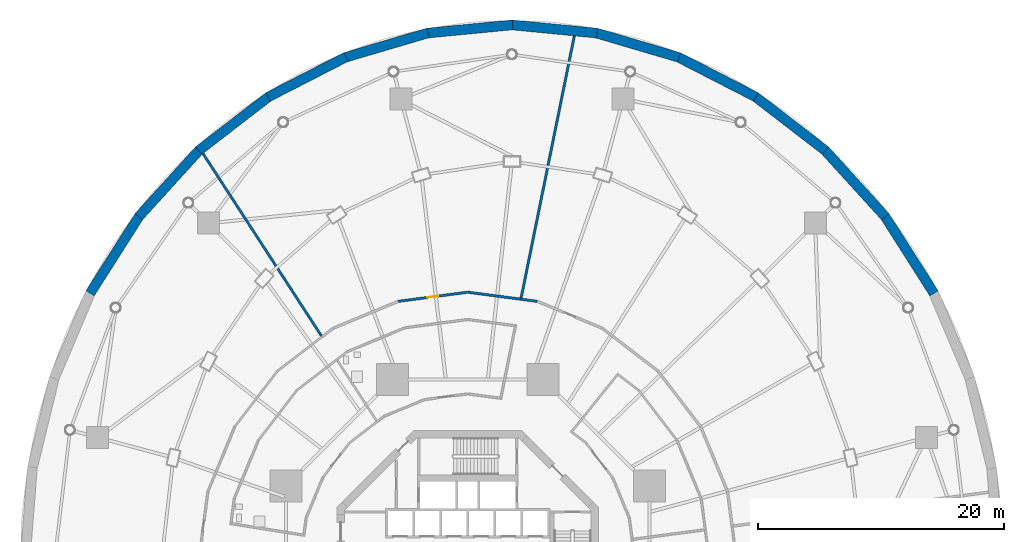
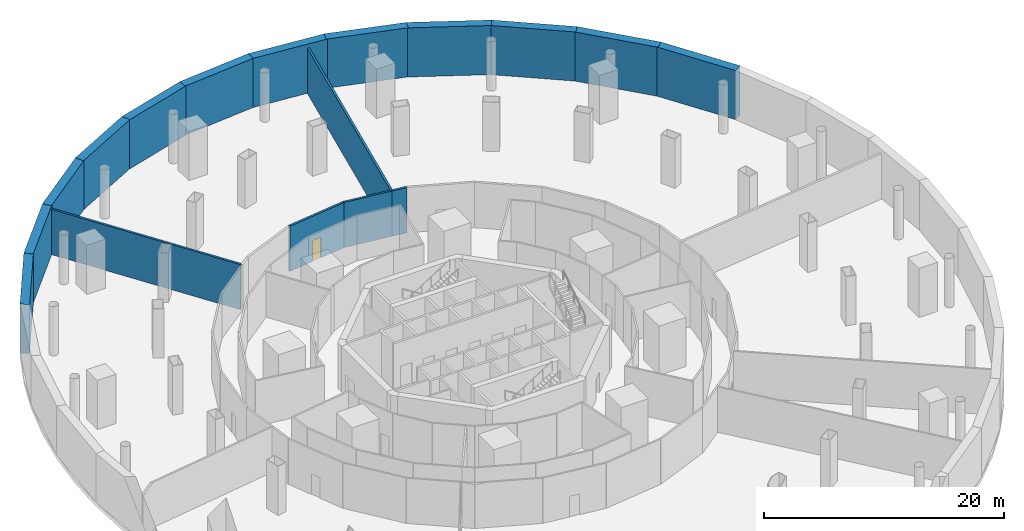
# One storey, part 11 of 14: 17 walls, 1 door, 1 opening.
"""IFC4 building model written with IfcOpenShell, lengths in metres."""

from ifc_helpers import new_model, si_unit, direction, frame, frame_2d, origin, place, context, subcontext, project, spatial, rectangle, extrude, material, layer, layer_set, type_object, element, fill, save


model = new_model("IFC4")

# Units and contexts
model_context = context("Model", 3, precision=1e-05, world=origin(), true_north=direction((0.0, 1.0)))
body_context = subcontext(model_context, "Body", "Model", "MODEL_VIEW")
ifc_project = project(units=[si_unit("LENGTHUNIT", "METRE"), si_unit("AREAUNIT", "SQUARE_METRE"), si_unit("VOLUMEUNIT", "CUBIC_METRE"), si_unit("PLANEANGLEUNIT", "RADIAN"), si_unit("MASSUNIT", "GRAM", prefix="KILO")], contexts=[model_context])

# Site, building, storey
site_placement = place(None, origin())
site = spatial("IfcSite", under=ifc_project, at=site_placement, CompositionType="ELEMENT")
building_placement = place(site_placement, origin())
building = spatial("IfcBuilding", under=site, at=building_placement, Name="Nagisa Residences", CompositionType="ELEMENT")
storey_placement = place(building_placement, frame((0.0, 0.0, -5.0)))
storey = spatial("IfcBuildingStorey", under=building, at=storey_placement, Name="B1", CompositionType="ELEMENT", Elevation=-5.0)

# Walls
ifc_material_1 = material(Name="Concrete C40", Category="concrete")
ifc_layer_1 = layer(ifc_material_1, 0.800048828125)
ifc_layer_set_1 = layer_set([ifc_layer_1], Name="Basement retaining wall 800")
wall_type_1 = type_object("IfcWallType", Name="Basement retaining wall 800", PredefinedType="SOLIDWALL", material=ifc_layer_set_1)
wall_1_placement = place(storey_placement, frame((-30.71337890625, 21.771728515625, 0.0), z_axis=(0.0, 0.0, 1.0), x_axis=(0.53698952756, 0.843588908943, 0.0)))
element("IfcWall", 1, at=wall_1_placement, inside=storey, type_object=wall_type_1, Name="wall:B1:ret22", PredefinedType="SOLIDWALL", context=body_context, shape_type="SweptSolid", body=[
    extrude(rectangle(XDim=7.480224609375, YDim=0.800048828125, at=frame_2d((3.740234375, 0.0))), origin(), (0.0, 0.0, 1.0), 5.0),
])
wall_2_placement = place(storey_placement, frame((-26.757080078125, 28.002685546875, 0.0), z_axis=(0.0, 0.0, 1.0), x_axis=(0.672652980875, 0.73995808484, 0.0)))
element("IfcWall", 2, at=wall_2_placement, inside=storey, type_object=wall_type_1, Name="wall:B1:ret23", PredefinedType="SOLIDWALL", context=body_context, shape_type="SweptSolid", body=[
    extrude(rectangle(XDim=7.35986328125, YDim=0.800048828125, at=frame_2d((3.679931640625, 0.0))), origin(), (0.0, 0.0, 1.0), 5.0),
])
wall_3_placement = place(storey_placement, frame((-21.879638671875, 33.381103515625, 0.0), z_axis=(0.0, 0.0, 1.0), x_axis=(0.792235092298, 0.610215993343, 0.0)))
element("IfcWall", 3, at=wall_3_placement, inside=storey, type_object=wall_type_1, Name="wall:B1:ret24", PredefinedType="SOLIDWALL", context=body_context, shape_type="SweptSolid", body=[
    extrude(rectangle(XDim=7.237548828125, YDim=0.800048828125, at=frame_2d((3.61865234375, 0.0))), origin(), (0.0, 0.0, 1.0), 5.0),
])
wall_4_placement = place(storey_placement, frame((-16.22998046875, 37.744140625, 0.0), z_axis=(0.0, 0.0, 1.0), x_axis=(0.889769676124, 0.456409819625, 0.0)))
element("IfcWall", 4, at=wall_4_placement, inside=storey, type_object=wall_type_1, Name="wall:B1:ret25", PredefinedType="SOLIDWALL", context=body_context, shape_type="SweptSolid", body=[
    extrude(rectangle(XDim=7.128173828125, YDim=0.800048828125, at=frame_2d((3.56396484375, 0.0))), origin(), (0.0, 0.0, 1.0), 5.0),
])
wall_5_placement = place(storey_placement, frame((-9.97998046875, 40.96044921875, 0.0), z_axis=(0.0, 0.0, 1.0), x_axis=(0.959194279998, 0.282747826197, 0.0)))
element("IfcWall", 5, at=wall_5_placement, inside=storey, type_object=wall_type_1, Name="wall:B1:ret26", PredefinedType="SOLIDWALL", context=body_context, shape_type="SweptSolid", body=[
    extrude(rectangle(XDim=7.0458984375, YDim=0.800048828125, at=frame_2d((3.52294921875, 0.0))), origin(), (0.0, 0.0, 1.0), 5.0),
])
for number, where, z_axis, x_axis, name in (
    (6, (-3.319580078125, 42.93359375, 0.0), (0.0, 0.0, 1.0), (0.995401742981, 0.095788152034, 0.0), "wall:B1:ret27"),
    (7, (3.55029296875, 43.604248046875, 0.0), (0.0, 0.0, 1.0), (0.995401742981, -0.095788152034, 0.0), "wall:B1:ret28"),
):
    element("IfcWall", number, at=place(storey_placement, frame(where, z_axis=z_axis, x_axis=x_axis)), inside=storey, type_object=wall_type_1, Name=name, PredefinedType="SOLIDWALL", context=body_context, shape_type="SweptSolid", body=[
        extrude(rectangle(XDim=7.00146484375, YDim=0.800048828125, at=frame_2d((3.500732421875, 0.0))), origin(), (0.0, 0.0, 1.0), 5.0),
    ])
wall_6_placement = place(storey_placement, frame((10.421630859375, 42.95263671875, 0.0), z_axis=(0.0, 0.0, 1.0), x_axis=(0.959194279998, -0.282747826197, 0.0)))
element("IfcWall", 8, at=wall_6_placement, inside=storey, type_object=wall_type_1, Name="wall:B1:ret29", PredefinedType="SOLIDWALL", context=body_context, shape_type="SweptSolid", body=[
    extrude(rectangle(XDim=7.0458984375, YDim=0.800048828125, at=frame_2d((3.52294921875, 0.0))), origin(), (0.0, 0.0, 1.0), 5.0),
])
wall_7_placement = place(storey_placement, frame((17.087646484375, 40.99755859375, 0.0), z_axis=(0.0, 0.0, 1.0), x_axis=(0.889762541272, -0.456423728732, 0.0)))
element("IfcWall", 9, at=wall_7_placement, inside=storey, type_object=wall_type_1, Name="wall:B1:ret30", PredefinedType="SOLIDWALL", context=body_context, shape_type="SweptSolid", body=[
    extrude(rectangle(XDim=7.128173828125, YDim=0.800048828125, at=frame_2d((3.56396484375, 0.0))), origin(), (0.0, 0.0, 1.0), 5.0),
])
wall_8_placement = place(storey_placement, frame((23.345703125, 37.797607421875, 0.0), z_axis=(0.0, 0.0, 1.0), x_axis=(0.792235092298, -0.610215993343, 0.0)))
element("IfcWall", 10, at=wall_8_placement, inside=storey, type_object=wall_type_1, Name="wall:B1:ret31", PredefinedType="SOLIDWALL", context=body_context, shape_type="SweptSolid", body=[
    extrude(rectangle(XDim=7.237548828125, YDim=0.800048828125, at=frame_2d((3.61865234375, 0.0))), origin(), (0.0, 0.0, 1.0), 5.0),
])
wall_9_placement = place(storey_placement, frame((29.00634765625, 33.44873046875, 0.0), z_axis=(0.0, 0.0, 1.0), x_axis=(0.672652980875, -0.73995808484, 0.0)))
element("IfcWall", 11, at=wall_9_placement, inside=storey, type_object=wall_type_1, Name="wall:B1:ret32", PredefinedType="SOLIDWALL", context=body_context, shape_type="SweptSolid", body=[
    extrude(rectangle(XDim=7.35986328125, YDim=0.800048828125, at=frame_2d((3.679931640625, 0.0))), origin(), (0.0, 0.0, 1.0), 5.0),
])
wall_10_placement = place(storey_placement, frame((33.896728515625, 28.08203125, 0.0), z_axis=(0.0, 0.0, 1.0), x_axis=(0.53696630052, -0.843603693748, 0.0)))
element("IfcWall", 12, at=wall_10_placement, inside=storey, type_object=wall_type_1, Name="wall:B1:ret33", PredefinedType="SOLIDWALL", context=body_context, shape_type="SweptSolid", body=[
    extrude(rectangle(XDim=7.480224609375, YDim=0.800048828125, at=frame_2d((3.740234375, 0.0))), origin(), (0.0, 0.0, 1.0), 5.0),
])
ifc_material_2 = material(Name="Gypsum board on steel studs", Category="steel")
ifc_layer_2 = layer(ifc_material_2, 0.199951171875)
ifc_layer_set_2 = layer_set([ifc_layer_2], Name="Plant room wall EI120 200")
wall_type_2 = type_object("IfcWallType", Name="Plant room wall EI120 200", PredefinedType="PARTITIONING", material=ifc_layer_set_2)
wall_11_placement = place(storey_placement, frame((-21.526611328125, 33.148193359375, 0.0), z_axis=(0.0, 0.0, 1.0), x_axis=(0.544640649874, -0.838669519242, 0.0)))
element("IfcWall", 13, at=wall_11_placement, inside=storey, type_object=wall_type_2, Name="wall:B1:am087", PredefinedType="PARTITIONING", context=body_context, shape_type="SweptSolid", body=[
    extrude(rectangle(XDim=17.673583984375, YDim=0.199951171875, at=frame_2d((8.8369140625, 0.0))), origin(), (0.0, 0.0, 1.0), 4.60009765625),
])

# Wall, opening, door
wall_12_placement = place(storey_placement, frame((-5.6455078125, 21.12744140625, 0.0), z_axis=(0.0, 0.0, 1.0), x_axis=(0.991440242619, 0.130561270351, 0.0)))
wall_12 = element("IfcWall", 14, at=wall_12_placement, inside=storey, type_object=wall_type_2, Name="wall:B1:am090", PredefinedType="PARTITIONING", context=body_context, shape_type="SweptSolid", body=[
    extrude(rectangle(XDim=5.678955078125, YDim=0.199951171875, at=frame_2d((2.83935546875, 0.0))), origin(), (0.0, 0.0, 1.0), 4.60009765625),
])
opening_placement = place(wall_12_placement, frame((2.3896484375, 0.0, 0.0)))
opening = element("IfcOpeningElement", 15, at=opening_placement, cuts=wall_12, Name="Opening B1-A09", PredefinedType="OPENING", context=body_context, shape_type="SweptSolid", body=[
    extrude(rectangle(XDim=0.89990234375, YDim=2.10009765625, at=frame_2d((0.449951171875, 1.050048828125))), frame((0.0, 0.10986328125, 0.0), z_axis=(0.0, -1.0, 0.0), x_axis=(1.0, 0.0, 0.0)), (0.0, 0.0, 1.0), 0.219970703125),
])
ifc_material_3 = material(Name="Steel fire door", Category="steel")
door_type = type_object("IfcDoorType", Name="Fire door EI120 900x2100 single swing", OperationType="NOTDEFINED", PredefinedType="DOOR", material=ifc_material_3)
door_placement = place(opening_placement, origin())
door = element("IfcDoor", 16, at=door_placement, inside=storey, type_object=door_type, Name="Laundry door", OperationType="SINGLE_SWING_RIGHT", OverallHeight=2.10009765625, OverallWidth=0.89990234375, PredefinedType="DOOR", context=body_context, shape_type="SweptSolid", body=[
    extrude(rectangle(XDim=0.89990234375, YDim=2.10009765625, at=frame_2d((0.449951171875, 1.050048828125))), frame((0.0, 0.02490234375, 0.0), z_axis=(0.0, -1.0, 0.0), x_axis=(1.0, 0.0, 0.0)), (0.0, 0.0, 1.0), 0.050048828125),
])
fill(opening, door)

# Walls
wall_13_placement = place(storey_placement, frame((0.01513671875, 21.868896484375, 0.0), z_axis=(0.0, 0.0, 1.0), x_axis=(0.99144300699, -0.130540276894, 0.0)))
element("IfcWall", 17, at=wall_13_placement, inside=storey, type_object=wall_type_2, Name="wall:B1:am091", PredefinedType="PARTITIONING", context=body_context, shape_type="SweptSolid", body=[
    extrude(rectangle(XDim=4.344482421875, YDim=0.199951171875, at=frame_2d((2.17236328125, 0.0))), origin(), (0.0, 0.0, 1.0), 4.60009765625),
])
wall_14_placement = place(storey_placement, frame((4.322509765625, 21.3017578125, 0.0), z_axis=(0.0, 0.0, 1.0), x_axis=(0.9914312395, -0.130629618934, 0.0)))
element("IfcWall", 18, at=wall_14_placement, inside=storey, type_object=wall_type_2, Name="wall:B1:am092", PredefinedType="PARTITIONING", context=body_context, shape_type="SweptSolid", body=[
    extrude(rectangle(XDim=1.33447265625, YDim=0.199951171875, at=frame_2d((0.667236328125, 0.0))), origin(), (0.0, 0.0, 1.0), 4.60009765625),
])
wall_15_placement = place(storey_placement, frame((4.342529296875, 21.39990234375, 0.0), z_axis=(0.0, 0.0, 1.0), x_axis=(0.198866165776, 0.980026656836, 0.0)))
element("IfcWall", 19, at=wall_15_placement, inside=storey, type_object=wall_type_2, Name="wall:B1:am093", PredefinedType="PARTITIONING", context=body_context, shape_type="SweptSolid", body=[
    extrude(rectangle(XDim=21.744384765625, YDim=0.199951171875, at=frame_2d((10.8720703125, 0.0))), origin(), (0.0, 0.0, 1.0), 4.60009765625),
])

save(model, "model.ifc")
